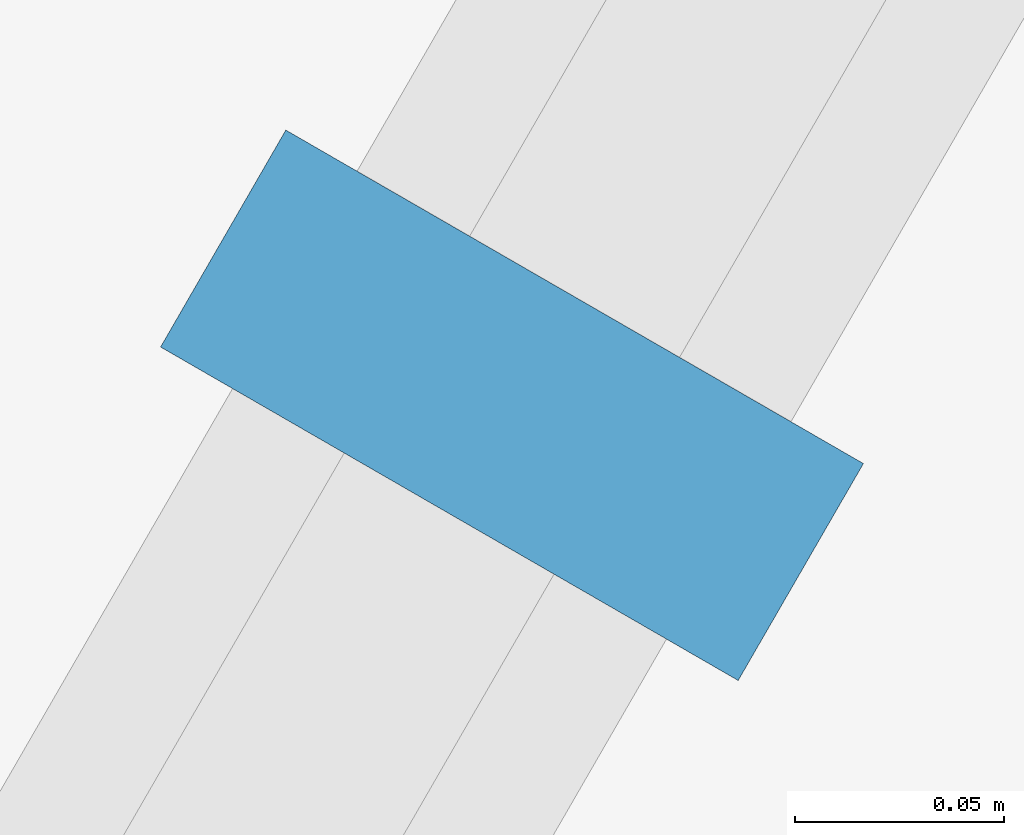
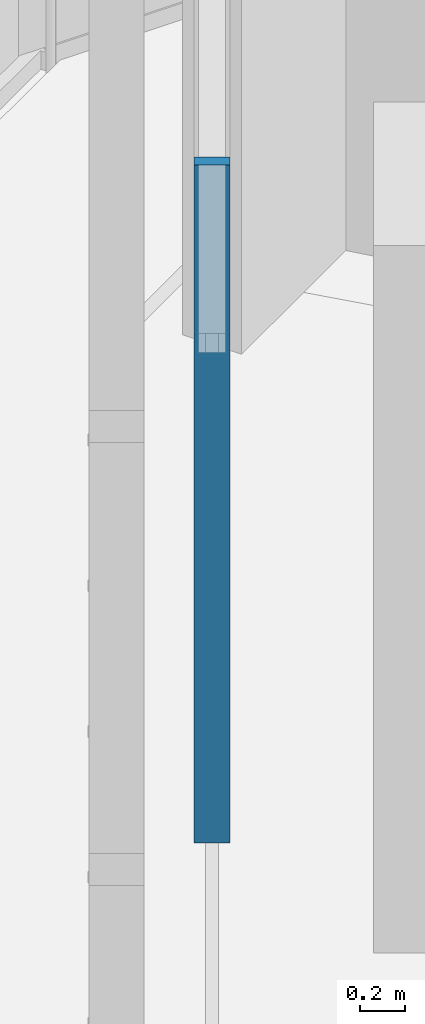
# One storey, part 61 of 127: 1 member, 1 element without a shape of its own.
"""IFC4 building model written with IfcOpenShell, lengths in metres."""

import ifcopenshell
import ifcopenshell.guid

model = None  # the IFC model being written
_history = None  # IfcOwnerHistory: only IFC2X3 demands one
_inside = {}  # id of a spatial element -> (the spatial element, [elements in it])
_under = {}  # id of a project, library or spatial element -> (it, [spatial elements below it])
_declared = {}  # id of a project -> (the project, [libraries it declares])
_typed = {}  # id of a type object -> (the type object, [elements of that type])
_made_of = {}  # id of a material, layer set ... -> (it, [elements and type objects made of it])


def new_model(schema):
    """Start an empty IFC model of exactly this schema.

    Asked for "IFC4X3", IfcOpenShell would pick the latest addendum, in which some entities
    have other attributes; the version numbers below select the first issue.
    IFC2X3 requires an IfcOwnerHistory on every rooted entity: one is made here for all.
    """
    global model, _history
    if schema == "IFC4X3":
        model = ifcopenshell.file(schema_version=(4, 3, 0, 0))
    else:
        model = ifcopenshell.file(schema=schema)
    _inside.clear()
    _under.clear()
    _declared.clear()
    _typed.clear()
    _made_of.clear()
    _history = None
    if model.schema == "IFC2X3":
        org = make("IfcOrganization", Name="unknown")
        user = make(
            "IfcPersonAndOrganization",
            ThePerson=make("IfcPerson", FamilyName="unknown"),
            TheOrganization=org,
        )
        app = make(
            "IfcApplication",
            ApplicationDeveloper=org,
            Version="unknown",
            ApplicationFullName="unknown",
            ApplicationIdentifier="unknown",
        )
        _history = make(
            "IfcOwnerHistory",
            OwningUser=user,
            OwningApplication=app,
            ChangeAction="ADDED",
            CreationDate=0,
        )
    return model


def make(cls, **values):
    """One entity of the class cls with the attributes given. An attribute that is None is left unset."""
    return model.create_entity(
        cls, **{name: value for name, value in values.items() if value is not None}
    )


def rooted(cls, **values):
    """An entity with a GlobalId (a new one), such as an element, a storey or a relation."""
    return make(cls, GlobalId=ifcopenshell.guid.new(), OwnerHistory=_history, **values)


def si_unit(unit_type, name, prefix=None):
    """IfcSIUnit, for example si_unit("LENGTHUNIT", "METRE", prefix="MILLI")."""
    return make("IfcSIUnit", UnitType=unit_type, Prefix=prefix, Name=name)


def assignment(units):
    """IfcUnitAssignment: the units of a project."""
    return None if units is None else make("IfcUnitAssignment", Units=units)


def point(xyz):
    """IfcCartesianPoint."""
    return None if xyz is None else make("IfcCartesianPoint", Coordinates=xyz)


def direction(xyz):
    """IfcDirection."""
    return None if xyz is None else make("IfcDirection", DirectionRatios=xyz)


def frame(location, z_axis=None, x_axis=None):
    """IfcAxis2Placement3D, a coordinate frame: its origin and axes. An axis left out is left unset."""
    return make(
        "IfcAxis2Placement3D",
        Location=point(location),
        Axis=direction(z_axis),
        RefDirection=direction(x_axis),
    )


def frame_2d(location, x_axis=None):
    """IfcAxis2Placement2D, a coordinate frame in the plane: its origin and x axis."""
    return make(
        "IfcAxis2Placement2D", Location=point(location), RefDirection=direction(x_axis)
    )


def origin():
    """The frame at (0, 0, 0) with its axes left unset."""
    return frame((0.0, 0.0, 0.0))


def origin_2d():
    """The frame at (0, 0) in the plane with its x axis left unset."""
    return frame_2d((0.0, 0.0))


def place(relative_to, where):
    """IfcLocalPlacement: puts the frame where relative to a parent placement (None: the world)."""
    return make(
        "IfcLocalPlacement", PlacementRelTo=relative_to, RelativePlacement=where
    )


def context(
    kind, dimensions, precision=None, world=None, true_north=None, identifier=None
):
    """IfcGeometricRepresentationContext, for example the 3D "Model" context."""
    return make(
        "IfcGeometricRepresentationContext",
        ContextIdentifier=identifier,
        ContextType=kind,
        CoordinateSpaceDimension=dimensions,
        Precision=precision,
        WorldCoordinateSystem=world,
        TrueNorth=true_north,
    )


def subcontext(parent, identifier, kind, view, scale=None):
    """IfcGeometricRepresentationSubContext, for example "Body" below "Model"."""
    return make(
        "IfcGeometricRepresentationSubContext",
        ContextIdentifier=identifier,
        ContextType=kind,
        ParentContext=parent,
        TargetScale=scale,
        TargetView=view,
    )


def project(units=None, contexts=None):
    """IfcProject with its units and contexts."""
    return rooted(
        "IfcProject",
        Name="project",
        RepresentationContexts=contexts,
        UnitsInContext=assignment(units),
    )


def spatial(cls, under=None, at=None, **own):
    """A site, building, storey or space (cls), placed at a placement, below another one or the project."""
    s = rooted(cls, ObjectPlacement=at, **own)
    if under is not None:
        _under.setdefault(under.id(), (under, []))[1].append(s)
    return s


def profile(cls, at=None, kind="AREA", **sizes):
    """A parametric profile (cls). Its sizes go by their IFC names, for example OverallWidth=200.0."""
    return make(cls, ProfileType=kind, Position=at, **sizes)


def rectangle(**sizes):
    """IfcRectangleProfileDef."""
    return profile("IfcRectangleProfileDef", **sizes)


def extrude(swept, where, along, depth):
    """IfcExtrudedAreaSolid: the profile swept, set in the frame where, extruded along a direction by depth."""
    return make(
        "IfcExtrudedAreaSolid",
        SweptArea=swept,
        Position=where,
        ExtrudedDirection=direction(along),
        Depth=depth,
    )


def shape(context_of_items, identifier, shape_type, items):
    """IfcShapeRepresentation: the items that make up one representation, for example the "Body"."""
    return make(
        "IfcShapeRepresentation",
        ContextOfItems=context_of_items,
        RepresentationIdentifier=identifier,
        RepresentationType=shape_type,
        Items=items,
    )


def material(Name=None, Category=None):
    """IfcMaterial."""
    return make("IfcMaterial", Name=Name, Category=Category)


def material_profile(
    of_material, cross_section, Name=None, Category=None, Priority=None
):
    """IfcMaterialProfile: a cross section and its material."""
    return make(
        "IfcMaterialProfile",
        Name=Name,
        Material=of_material,
        Profile=cross_section,
        Priority=Priority,
        Category=Category,
    )


def profile_set(profiles, Name=None, composite=None):
    """IfcMaterialProfileSet."""
    return make(
        "IfcMaterialProfileSet",
        Name=Name,
        MaterialProfiles=profiles,
        CompositeProfile=composite,
    )


def made_of(thing, what):
    """Note that an element or type object is made of a material, layer set ...; save() writes the relation."""
    if what is not None:
        _made_of.setdefault(what.id(), (what, []))[1].append(thing)
    return thing


def type_object(cls, material=None, **own):
    """A type object (cls), such as IfcWallType, which elements share."""
    return made_of(rooted(cls, **own), material)


def element(
    cls,
    number,
    at=None,
    inside=None,
    cuts=None,
    type_object=None,
    material=None,
    context=None,
    identifier="Body",
    shape_type=None,
    held_by="IfcProductDefinitionShape",
    body=None,
    shapes=None,
    **own,
):
    """One element of the class cls, such as IfcWall. Its Tag is "e" and its number.

    at: its placement. inside: the storey or other place that contains it. cuts: it is an
    opening in that element (IfcRelVoidsElement). A single representation is given by context,
    identifier, shape_type and body (its items); several are given by shapes. held_by: the class
    of the entity that holds the representations. save() writes the other relations.
    """
    e = rooted(cls, Tag="e%d" % number, ObjectPlacement=at, **own)
    if body is not None:
        shapes = [shape(context, identifier, shape_type, body)]
    if shapes is not None:
        e.Representation = make(held_by, Representations=shapes)
    if inside is not None:
        _inside.setdefault(inside.id(), (inside, []))[1].append(e)
    if cuts is not None:
        rooted(
            "IfcRelVoidsElement", RelatingBuildingElement=cuts, RelatedOpeningElement=e
        )
    if type_object is not None:
        _typed.setdefault(type_object.id(), (type_object, []))[1].append(e)
    return made_of(e, material)


def aggregate(whole, parts):
    """IfcRelAggregates: a whole, such as a stair, and the parts it consists of."""
    return rooted("IfcRelAggregates", RelatingObject=whole, RelatedObjects=parts)


def save(model, path):
    """Write the relations noted so far, then the file.

    IfcRelAggregates (storeys below a building ...), IfcRelContainedInSpatialStructure (elements
    in a storey), IfcRelDefinesByType, IfcRelAssociatesMaterial and IfcRelDeclares: one each for
    every whole, place, type object, material and project.
    """
    for whole, parts in _under.values():
        aggregate(whole, parts)
    for where, things in _inside.values():
        rooted(
            "IfcRelContainedInSpatialStructure",
            RelatedElements=things,
            RelatingStructure=where,
        )
    for kind, things in _typed.values():
        rooted("IfcRelDefinesByType", RelatedObjects=things, RelatingType=kind)
    for what, things in _made_of.values():
        rooted("IfcRelAssociatesMaterial", RelatedObjects=things, RelatingMaterial=what)
    for by, libraries in _declared.values():
        rooted("IfcRelDeclares", RelatingContext=by, RelatedDefinitions=libraries)
    model.write(path)


model = new_model("IFC4")

# Units and contexts
model_context = context("Model", 3, precision=1e-05, world=origin(), true_north=direction((0.0, 1.0)))
body_context = subcontext(model_context, "Body", "Model", "MODEL_VIEW")
ifc_project = project(units=[si_unit("LENGTHUNIT", "METRE"), si_unit("AREAUNIT", "SQUARE_METRE"), si_unit("VOLUMEUNIT", "CUBIC_METRE"), si_unit("PLANEANGLEUNIT", "RADIAN"), si_unit("MASSUNIT", "GRAM", prefix="KILO")], contexts=[model_context])

# Site, building, storey
site_placement = place(None, origin())
site = spatial("IfcSite", under=ifc_project, at=site_placement, CompositionType="ELEMENT")
building_placement = place(site_placement, origin())
building = spatial("IfcBuilding", under=site, at=building_placement, Name="Sandreach Pilgrim Tower", CompositionType="ELEMENT")
storey_placement = place(building_placement, frame((0.0, 0.0, 257.0)))
storey = spatial("IfcBuildingStorey", under=building, at=storey_placement, Name="L64", CompositionType="ELEMENT", Elevation=257.0)

# Curtain wall, member
ifc_material_1 = material(Name="Aluminium framed curtain wall", Category="aluminium")
curtain_wall_type = type_object("IfcCurtainWallType", Name="Suite tower curtain wall", PredefinedType="NOTDEFINED", material=ifc_material_1)
curtain_wall_placement = place(storey_placement, origin())
curtain_wall = element("IfcCurtainWall", 1, at=curtain_wall_placement, inside=storey, type_object=curtain_wall_type, Name="CW-4 L64 NW", PredefinedType="NOTDEFINED")
ifc_material_2 = material(Name="Aluminium extrusion", Category="aluminium")
ifc_material_profile = material_profile(ifc_material_2, rectangle(XDim=0.06005859375, YDim=0.159912109375, at=origin_2d()), Name="CW-4M 60X160")
ifc_profile_set = profile_set([ifc_material_profile], Name="Aluminium extrusion")
member_type = type_object("IfcMemberType", Name="CW-4 mullion", PredefinedType="MULLION", material=ifc_profile_set)
member_placement = place(storey_placement, frame((-19.6318359375, 15.712646484375, 0.0), z_axis=(0.0, 0.0, 1.0), x_axis=(0.5, 0.866025403784, 0.0)))
member = element("IfcMember", 2, at=member_placement, type_object=member_type, Name="CW-4 mullion 4", PredefinedType="MULLION", context=body_context, shape_type="SweptSolid", body=[
    extrude(rectangle(XDim=0.06005859375, YDim=0.159912109375, at=origin_2d()), origin(), (0.0, 0.0, 1.0), 3.639892578125),
])
aggregate(curtain_wall, [member])

save(model, "model.ifc")
